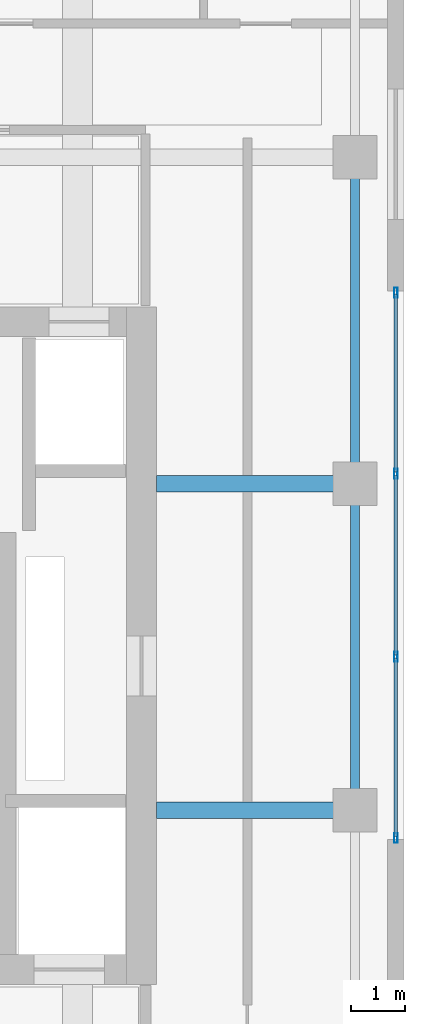
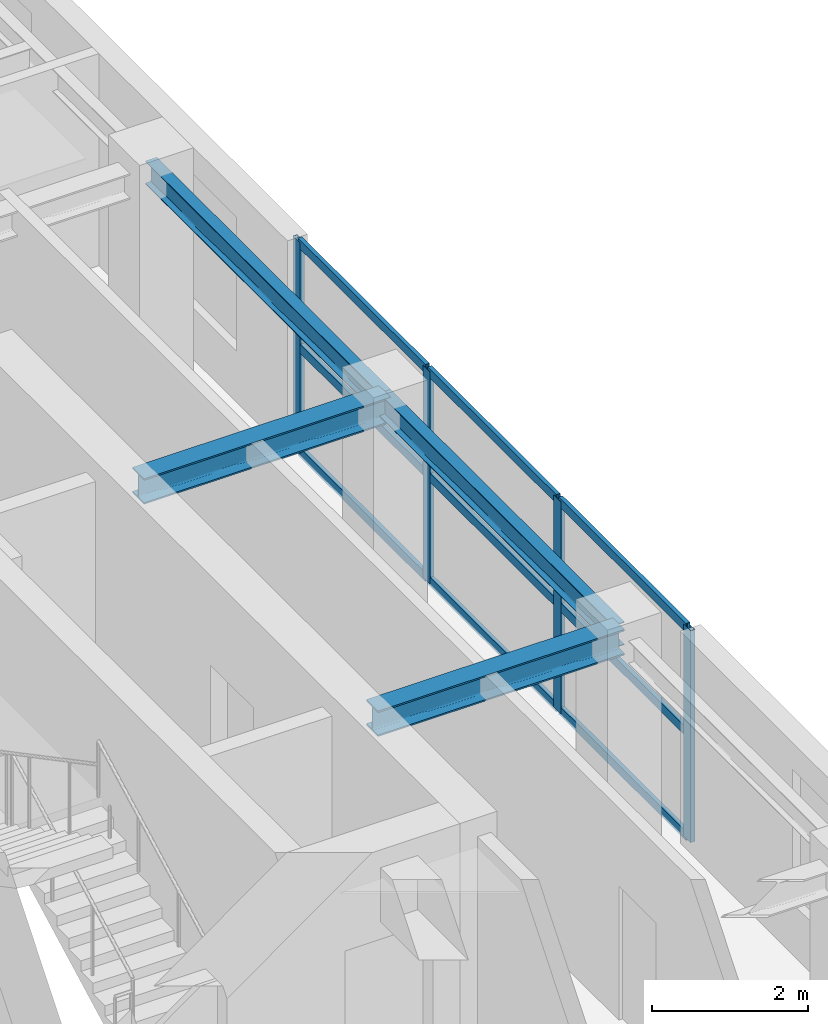
# One storey, part 6 of 14: 13 members, 4 beams, 1 element without a shape of its own.
"""IFC4 building model written with IfcOpenShell, lengths in metres."""

from ifc_helpers import new_model, si_unit, direction, frame, origin, origin_2d, place, context, subcontext, project, spatial, hollow_rectangle, i_section, extrude, source, transform, mapped, material, layer, layer_set, material_profile, profile_set, type_object, element, aggregate, save


model = new_model("IFC4")

# Units and contexts
model_context = context("Model", 3, precision=1e-05, world=origin(), true_north=direction((0.0, 1.0)))
body_context = subcontext(model_context, "Body", "Model", "MODEL_VIEW")
ifc_project = project(units=[si_unit("LENGTHUNIT", "METRE"), si_unit("AREAUNIT", "SQUARE_METRE"), si_unit("VOLUMEUNIT", "CUBIC_METRE"), si_unit("PLANEANGLEUNIT", "RADIAN"), si_unit("MASSUNIT", "GRAM", prefix="KILO")], contexts=[model_context])

# Site, building, storey
site_placement = place(None, origin())
site = spatial("IfcSite", under=ifc_project, at=site_placement, CompositionType="ELEMENT")
building_placement = place(site_placement, origin())
building = spatial("IfcBuilding", under=site, at=building_placement, Name="Khoralis Quay Care Tower", CompositionType="ELEMENT")
storey_placement = place(building_placement, frame((0.0, 0.0, 274.5)))
storey = spatial("IfcBuildingStorey", under=building, at=storey_placement, Name="L72", CompositionType="ELEMENT", Elevation=274.5)

# Beams
ifc_material_1 = material(Name="Steel S355", Category="steel")
ifc_material_profile_1 = material_profile(ifc_material_1, i_section(OverallWidth=0.169921875, OverallDepth=0.360107421875, WebThickness=0.008056640625, FlangeThickness=0.0126953125, FilletRadius=0.01806640625, at=origin_2d()), Name="Steel S355")
ifc_profile_set_1 = profile_set([ifc_material_profile_1], Name="Steel S355")
beam_type_1 = type_object("IfcBeamType", Name="BM-IPE360", PredefinedType="SPANDREL", material=ifc_profile_set_1)
shared_shape_1 = source(origin(), body_context, "Body", "SweptSolid", [
    extrude(i_section(OverallWidth=0.169921875, OverallDepth=0.360107421875, WebThickness=0.008056640625, FlangeThickness=0.0126953125, FilletRadius=0.01806640625, at=origin_2d()), origin(), (0.0, 0.0, 1.0), 6.0),
])
for number, where, z_axis, x_axis, name in (
    (1, (41.10009765625, 18.0, 3.139892578125), (0.0, 1.0, 0.0), (-1.0, 0.0, 0.0), "BM-TSP-L72-14"),
    (2, (41.10009765625, 24.0, 3.139892578125), (0.0, 1.0, 0.0), (-1.0, 0.0, 0.0), "BM-TSP-L72-15"),
):
    element("IfcBeam", number, at=place(storey_placement, frame(where, z_axis=z_axis, x_axis=x_axis)), inside=storey, type_object=beam_type_1, Name=name, PredefinedType="SPANDREL", context=body_context, shape_type="MappedRepresentation", body=[
        mapped(shared_shape_1, transform((0.0, 0.0, 0.0), scale=1.0)),
    ])
ifc_material_profile_2 = material_profile(ifc_material_1, i_section(OverallWidth=0.300048828125, OverallDepth=0.39990234375, WebThickness=0.013427734375, FlangeThickness=0.02392578125, FilletRadius=0.027099609375, at=origin_2d()), Name="Steel S355")
ifc_profile_set_2 = profile_set([ifc_material_profile_2], Name="Steel S355")
beam_type_2 = type_object("IfcBeamType", Name="BM-HEB400", PredefinedType="BEAM", material=ifc_profile_set_2)
shared_shape_2 = source(origin(), body_context, "Body", "SweptSolid", [
    extrude(i_section(OverallWidth=0.300048828125, OverallDepth=0.39990234375, WebThickness=0.013427734375, FlangeThickness=0.02392578125, FilletRadius=0.027099609375, at=origin_2d()), origin(), (0.0, 0.0, 1.0), 3.652099609375),
])
for number, where, z_axis, x_axis, name in (
    (3, (37.447998046875, 18.0, 3.1201171875), (1.0, 0.0, 0.0), (0.0, 1.0, 0.0), "BM-TGXE-L72-180"),
    (4, (37.447998046875, 24.0, 3.1201171875), (1.0, 0.0, 0.0), (0.0, 1.0, 0.0), "BM-TGXE-L72-240"),
):
    element("IfcBeam", number, at=place(storey_placement, frame(where, z_axis=z_axis, x_axis=x_axis)), inside=storey, type_object=beam_type_2, Name=name, PredefinedType="BEAM", context=body_context, shape_type="MappedRepresentation", body=[
        mapped(shared_shape_2, transform((0.0, 0.0, 0.0), scale=1.0)),
    ])

# Curtain wall, members
ifc_material_2 = material(Name="Pale anodised aluminium", Category="aluminium")
ifc_layer = layer(ifc_material_2, 0.159912109375)
ifc_layer_set = layer_set([ifc_layer], Name="Pale anodised aluminium")
curtain_wall_type = type_object("IfcCurtainWallType", Name="CW-SYS-Z3", PredefinedType="NOTDEFINED", material=ifc_layer_set)
curtain_wall_placement = place(storey_placement, origin())
curtain_wall = element("IfcCurtainWall", 5, at=curtain_wall_placement, inside=storey, type_object=curtain_wall_type, Name="L72 Unitised Curtain Wall CW-L72-P1-E5", PredefinedType="NOTDEFINED")
ifc_material_profile_3 = material_profile(ifc_material_2, hollow_rectangle(XDim=0.06494140625, YDim=0.179931640625, WallThickness=0.00390625, at=origin_2d()), Name="Pale anodised aluminium")
ifc_profile_set_3 = profile_set([ifc_material_profile_3], Name="Pale anodised aluminium")
member_type_1 = type_object("IfcMemberType", Name="CW-MUL-180", PredefinedType="MULLION", material=ifc_profile_set_3)
shared_shape_3 = source(origin(), body_context, "Body", "SweptSolid", [
    extrude(hollow_rectangle(XDim=0.06494140625, YDim=0.179931640625, WallThickness=0.00390625, at=origin_2d()), origin(), (0.0, 0.0, 1.0), 3.320068359375),
])
member_1_placement = place(storey_placement, frame((41.85009765625, 17.489990234375, 0.0), z_axis=(0.0, 0.0, 1.0), x_axis=(-1.0, 0.0, 0.0)))
member_1 = element("IfcMember", 6, at=member_1_placement, type_object=member_type_1, Name="CW3 mullion 1", PredefinedType="MULLION", context=body_context, shape_type="MappedRepresentation", body=[
    mapped(shared_shape_3, transform((0.0, 0.0, 0.0), scale=1.0)),
])
member_2_placement = place(storey_placement, frame((41.85009765625, 20.820068359375, 0.0), z_axis=(0.0, 0.0, 1.0), x_axis=(-1.0, 0.0, 0.0)))
member_2 = element("IfcMember", 7, at=member_2_placement, type_object=member_type_1, Name="CW3 mullion 2", PredefinedType="MULLION", context=body_context, shape_type="MappedRepresentation", body=[
    mapped(shared_shape_3, transform((0.0, 0.0, 0.0), scale=1.0)),
])
member_3_placement = place(storey_placement, frame((41.85009765625, 24.179931640625, 0.0), z_axis=(0.0, 0.0, 1.0), x_axis=(-1.0, 0.0, 0.0)))
member_3 = element("IfcMember", 8, at=member_3_placement, type_object=member_type_1, Name="CW3 mullion 3", PredefinedType="MULLION", context=body_context, shape_type="MappedRepresentation", body=[
    mapped(shared_shape_3, transform((0.0, 0.0, 0.0), scale=1.0)),
])
member_4_placement = place(storey_placement, frame((41.85009765625, 27.510009765625, 0.0), z_axis=(0.0, 0.0, 1.0), x_axis=(-1.0, 0.0, 0.0)))
member_4 = element("IfcMember", 9, at=member_4_placement, type_object=member_type_1, Name="CW3 mullion 4", PredefinedType="MULLION", context=body_context, shape_type="MappedRepresentation", body=[
    mapped(shared_shape_3, transform((0.0, 0.0, 0.0), scale=1.0)),
])
ifc_material_profile_4 = material_profile(ifc_material_2, hollow_rectangle(XDim=0.06005859375, YDim=0.139892578125, WallThickness=0.00390625, at=origin_2d()), Name="Pale anodised aluminium")
ifc_profile_set_4 = profile_set([ifc_material_profile_4], Name="Pale anodised aluminium")
member_type_2 = type_object("IfcMemberType", Name="CW-TRN-140", PredefinedType="USERDEFINED", material=ifc_profile_set_4)
shared_shape_4 = source(origin(), body_context, "Body", "SweptSolid", [
    extrude(hollow_rectangle(XDim=0.06005859375, YDim=0.139892578125, WallThickness=0.00390625, at=origin_2d()), origin(), (0.0, 0.0, 1.0), 3.27001953125),
])
member_5_placement = place(storey_placement, frame((41.85009765625, 17.52001953125, 0.030029296875), z_axis=(0.0, 1.0, 0.0), x_axis=(-1.0, 0.0, 0.0)))
member_5 = element("IfcMember", 10, at=member_5_placement, type_object=member_type_2, Name="CW3 transom 1.1", ObjectType="TRANSOM", PredefinedType="USERDEFINED", context=body_context, shape_type="MappedRepresentation", body=[
    mapped(shared_shape_4, transform((0.0, 0.0, 0.0), scale=1.0)),
])
member_6_placement = place(storey_placement, frame((41.85009765625, 17.52001953125, 1.659912109375), z_axis=(0.0, 1.0, 0.0), x_axis=(-1.0, 0.0, 0.0)))
member_6 = element("IfcMember", 11, at=member_6_placement, type_object=member_type_2, Name="CW3 transom 1.2", ObjectType="TRANSOM", PredefinedType="USERDEFINED", context=body_context, shape_type="MappedRepresentation", body=[
    mapped(shared_shape_4, transform((0.0, 0.0, 0.0), scale=1.0)),
])
member_7_placement = place(storey_placement, frame((41.85009765625, 17.52001953125, 3.2900390625), z_axis=(0.0, 1.0, 0.0), x_axis=(-1.0, 0.0, 0.0)))
member_7 = element("IfcMember", 12, at=member_7_placement, type_object=member_type_2, Name="CW3 transom 1.3", ObjectType="TRANSOM", PredefinedType="USERDEFINED", context=body_context, shape_type="MappedRepresentation", body=[
    mapped(shared_shape_4, transform((0.0, 0.0, 0.0), scale=1.0)),
])
member_8_placement = place(storey_placement, frame((41.85009765625, 24.2099609375, 0.030029296875), z_axis=(0.0, 1.0, 0.0), x_axis=(-1.0, 0.0, 0.0)))
member_8 = element("IfcMember", 13, at=member_8_placement, type_object=member_type_2, Name="CW3 transom 3.1", ObjectType="TRANSOM", PredefinedType="USERDEFINED", context=body_context, shape_type="MappedRepresentation", body=[
    mapped(shared_shape_4, transform((0.0, 0.0, 0.0), scale=1.0)),
])
member_9_placement = place(storey_placement, frame((41.85009765625, 24.2099609375, 1.659912109375), z_axis=(0.0, 1.0, 0.0), x_axis=(-1.0, 0.0, 0.0)))
member_9 = element("IfcMember", 14, at=member_9_placement, type_object=member_type_2, Name="CW3 transom 3.2", ObjectType="TRANSOM", PredefinedType="USERDEFINED", context=body_context, shape_type="MappedRepresentation", body=[
    mapped(shared_shape_4, transform((0.0, 0.0, 0.0), scale=1.0)),
])
member_10_placement = place(storey_placement, frame((41.85009765625, 24.2099609375, 3.2900390625), z_axis=(0.0, 1.0, 0.0), x_axis=(-1.0, 0.0, 0.0)))
member_10 = element("IfcMember", 15, at=member_10_placement, type_object=member_type_2, Name="CW3 transom 3.3", ObjectType="TRANSOM", PredefinedType="USERDEFINED", context=body_context, shape_type="MappedRepresentation", body=[
    mapped(shared_shape_4, transform((0.0, 0.0, 0.0), scale=1.0)),
])
shared_shape_5 = source(origin(), body_context, "Body", "SweptSolid", [
    extrude(hollow_rectangle(XDim=0.06005859375, YDim=0.139892578125, WallThickness=0.00390625, at=origin_2d()), origin(), (0.0, 0.0, 1.0), 3.2998046875),
])
member_11_placement = place(storey_placement, frame((41.85009765625, 20.85009765625, 0.030029296875), z_axis=(0.0, 1.0, 0.0), x_axis=(-1.0, 0.0, 0.0)))
member_11 = element("IfcMember", 16, at=member_11_placement, type_object=member_type_2, Name="CW3 transom 2.1", ObjectType="TRANSOM", PredefinedType="USERDEFINED", context=body_context, shape_type="MappedRepresentation", body=[
    mapped(shared_shape_5, transform((0.0, 0.0, 0.0), scale=1.0)),
])
member_12_placement = place(storey_placement, frame((41.85009765625, 20.85009765625, 1.659912109375), z_axis=(0.0, 1.0, 0.0), x_axis=(-1.0, 0.0, 0.0)))
member_12 = element("IfcMember", 17, at=member_12_placement, type_object=member_type_2, Name="CW3 transom 2.2", ObjectType="TRANSOM", PredefinedType="USERDEFINED", context=body_context, shape_type="MappedRepresentation", body=[
    mapped(shared_shape_5, transform((0.0, 0.0, 0.0), scale=1.0)),
])
member_13_placement = place(storey_placement, frame((41.85009765625, 20.85009765625, 3.2900390625), z_axis=(0.0, 1.0, 0.0), x_axis=(-1.0, 0.0, 0.0)))
member_13 = element("IfcMember", 18, at=member_13_placement, type_object=member_type_2, Name="CW3 transom 2.3", ObjectType="TRANSOM", PredefinedType="USERDEFINED", context=body_context, shape_type="MappedRepresentation", body=[
    mapped(shared_shape_5, transform((0.0, 0.0, 0.0), scale=1.0)),
])
aggregate(curtain_wall, [member_1, member_2, member_3, member_4, member_5, member_6, member_7, member_11, member_12, member_13, member_8, member_9, member_10])

save(model, "model.ifc")
